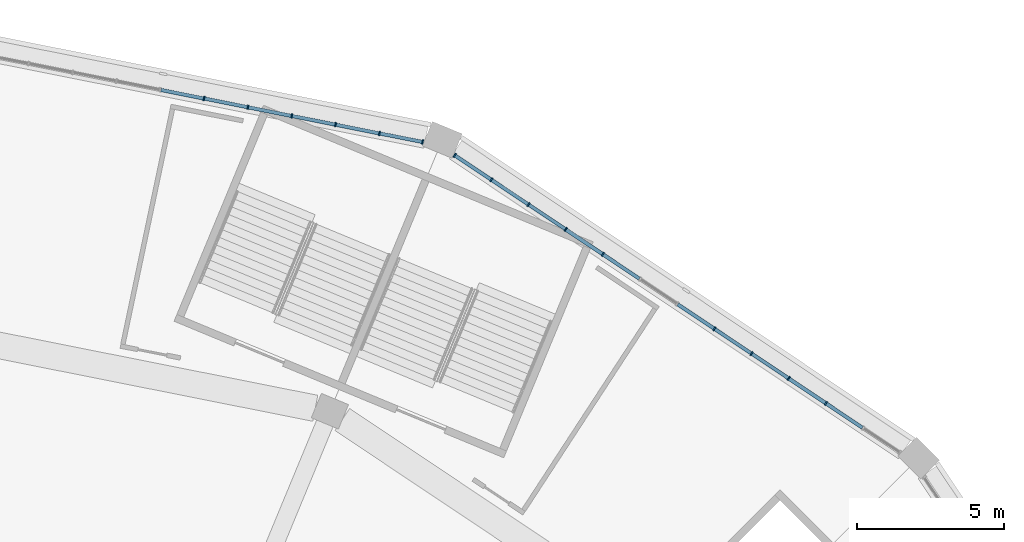
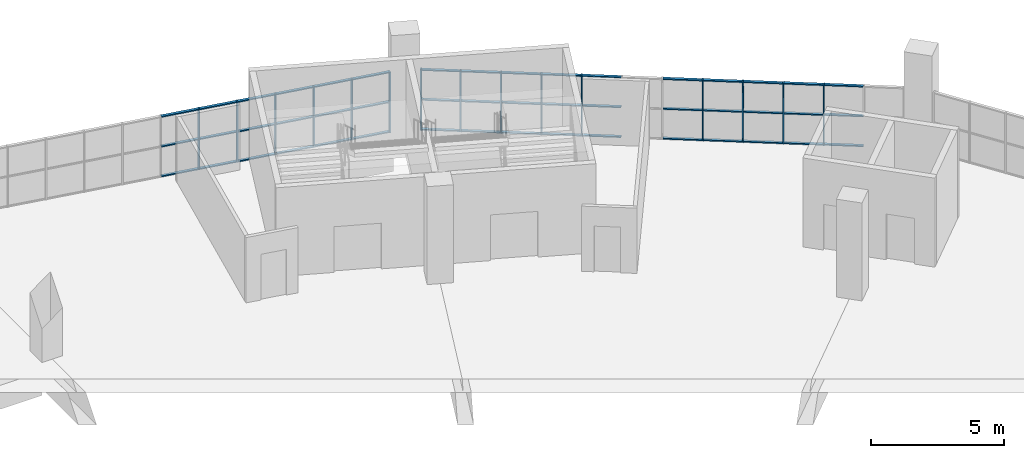
# One storey, part 54 of 199: 63 members, 2 elements without a shape of their own.
"""IFC4 building model written with IfcOpenShell, lengths in metres."""

from ifc_helpers import new_model, si_unit, direction, frame, origin, origin_2d, place, context, subcontext, project, spatial, rectangle, extrude, material, material_profile, profile_set, type_object, element, aggregate, save


model = new_model("IFC4")

# Units and contexts
model_context = context("Model", 3, precision=1e-05, world=origin(), true_north=direction((0.0, 1.0)))
body_context = subcontext(model_context, "Body", "Model", "MODEL_VIEW")
ifc_project = project(units=[si_unit("LENGTHUNIT", "METRE"), si_unit("AREAUNIT", "SQUARE_METRE"), si_unit("VOLUMEUNIT", "CUBIC_METRE"), si_unit("PLANEANGLEUNIT", "RADIAN"), si_unit("MASSUNIT", "GRAM", prefix="KILO")], contexts=[model_context])

# Site, building, storey
site_placement = place(None, origin())
site = spatial("IfcSite", under=ifc_project, at=site_placement, CompositionType="ELEMENT")
building_placement = place(site_placement, origin())
building = spatial("IfcBuilding", under=site, at=building_placement, Name="Ogive Plaza Stadium", CompositionType="ELEMENT")
storey_placement = place(building_placement, frame((0.0, 0.0, 4.5)))
storey = spatial("IfcBuildingStorey", under=building, at=storey_placement, Name="L01", CompositionType="ELEMENT", Elevation=4.5)

# Curtain wall, members
ifc_material_1 = material(Name="Bronze-anodised aluminium with laminated glass", Category="aluminium")
curtain_wall_type = type_object("IfcCurtainWallType", Name="Lancet curtain wall", PredefinedType="NOTDEFINED", material=ifc_material_1)
curtain_wall_1_placement = place(storey_placement, origin())
curtain_wall_1 = element("IfcCurtainWall", 1, at=curtain_wall_1_placement, inside=storey, type_object=curtain_wall_type, Name="CURTAIN WALL B37 L01", PredefinedType="NOTDEFINED")
ifc_material_2 = material(Name="Bronze-anodised aluminium", Category="aluminium")
ifc_material_profile_1 = material_profile(ifc_material_2, rectangle(XDim=0.14990234375, YDim=0.050048828125, at=origin_2d()), Name="AL 150x50")
ifc_profile_set_1 = profile_set([ifc_material_profile_1], Name="Bronze-anodised aluminium")
member_type_1 = type_object("IfcMemberType", Name="Curtain wall mullion 50x150", PredefinedType="MULLION", material=ifc_profile_set_1)
member_1_placement = place(storey_placement, frame((45.021240234375, 100.103759765625, 0.0), z_axis=(0.0, 0.0, 1.0), x_axis=(0.195090322033, 0.9807852804, 0.0)))
member_1 = element("IfcMember", 2, at=member_1_placement, type_object=member_type_1, Name="CW-B37-L01 mullion 8", PredefinedType="MULLION", context=body_context, shape_type="SweptSolid", body=[
    extrude(rectangle(XDim=0.14990234375, YDim=0.050048828125, at=origin_2d()), origin(), (0.0, 0.0, 1.0), 2.7900390625),
])
member_2_placement = place(storey_placement, frame((46.51416015625, 99.806884765625, 0.0), z_axis=(0.0, 0.0, 1.0), x_axis=(0.195090322033, 0.9807852804, 0.0)))
member_2 = element("IfcMember", 3, at=member_2_placement, type_object=member_type_1, Name="CW-B37-L01 mullion 9", PredefinedType="MULLION", context=body_context, shape_type="SweptSolid", body=[
    extrude(rectangle(XDim=0.14990234375, YDim=0.050048828125, at=origin_2d()), origin(), (0.0, 0.0, 1.0), 2.7900390625),
])
member_3_placement = place(storey_placement, frame((48.00732421875, 99.509765625, 0.0), z_axis=(0.0, 0.0, 1.0), x_axis=(0.195090322033, 0.9807852804, 0.0)))
member_3 = element("IfcMember", 4, at=member_3_placement, type_object=member_type_1, Name="CW-B37-L01 mullion 10", PredefinedType="MULLION", context=body_context, shape_type="SweptSolid", body=[
    extrude(rectangle(XDim=0.14990234375, YDim=0.050048828125, at=origin_2d()), origin(), (0.0, 0.0, 1.0), 2.7900390625),
])
member_4_placement = place(storey_placement, frame((49.50048828125, 99.212890625, 0.0), z_axis=(0.0, 0.0, 1.0), x_axis=(0.195090322033, 0.9807852804, 0.0)))
member_4 = element("IfcMember", 5, at=member_4_placement, type_object=member_type_1, Name="CW-B37-L01 mullion 11", PredefinedType="MULLION", context=body_context, shape_type="SweptSolid", body=[
    extrude(rectangle(XDim=0.14990234375, YDim=0.050048828125, at=origin_2d()), origin(), (0.0, 0.0, 1.0), 2.7900390625),
])
member_5_placement = place(storey_placement, frame((50.99365234375, 98.915771484375, 0.0), z_axis=(0.0, 0.0, 1.0), x_axis=(0.195090322033, 0.9807852804, 0.0)))
member_5 = element("IfcMember", 6, at=member_5_placement, type_object=member_type_1, Name="CW-B37-L01 mullion 12", PredefinedType="MULLION", context=body_context, shape_type="SweptSolid", body=[
    extrude(rectangle(XDim=0.14990234375, YDim=0.050048828125, at=origin_2d()), origin(), (0.0, 0.0, 1.0), 2.7900390625),
])
member_6_placement = place(storey_placement, frame((52.462158203125, 98.623779296875, 0.0), z_axis=(0.0, 0.0, 1.0), x_axis=(0.195090322033, 0.9807852804, 0.0)))
member_6 = element("IfcMember", 7, at=member_6_placement, type_object=member_type_1, Name="CW-B37-L01 mullion 13", PredefinedType="MULLION", context=body_context, shape_type="SweptSolid", body=[
    extrude(rectangle(XDim=0.14990234375, YDim=0.050048828125, at=origin_2d()), origin(), (0.0, 0.0, 1.0), 2.7900390625),
])

curtain_wall_2_placement = place(storey_placement, origin())
curtain_wall_2 = element("IfcCurtainWall", 8, at=curtain_wall_2_placement, inside=storey, type_object=curtain_wall_type, Name="CURTAIN WALL B38 L01", PredefinedType="NOTDEFINED")
member_7_placement = place(storey_placement, frame((53.559814453125, 98.169189453125, 0.0), z_axis=(0.0, 0.0, 1.0), x_axis=(0.55557023302, 0.831469612303, 0.0)))
member_7 = element("IfcMember", 9, at=member_7_placement, type_object=member_type_1, Name="CW-B38-L01 mullion 1", PredefinedType="MULLION", context=body_context, shape_type="SweptSolid", body=[
    extrude(rectangle(XDim=0.14990234375, YDim=0.050048828125, at=origin_2d()), origin(), (0.0, 0.0, 1.0), 2.7900390625),
])
member_8_placement = place(storey_placement, frame((54.8046875, 97.337158203125, 0.0), z_axis=(0.0, 0.0, 1.0), x_axis=(0.55557023302, 0.831469612303, 0.0)))
member_8 = element("IfcMember", 10, at=member_8_placement, type_object=member_type_1, Name="CW-B38-L01 mullion 2", PredefinedType="MULLION", context=body_context, shape_type="SweptSolid", body=[
    extrude(rectangle(XDim=0.14990234375, YDim=0.050048828125, at=origin_2d()), origin(), (0.0, 0.0, 1.0), 2.7900390625),
])
member_9_placement = place(storey_placement, frame((56.070556640625, 96.491455078125, 0.0), z_axis=(0.0, 0.0, 1.0), x_axis=(0.55557023302, 0.831469612303, 0.0)))
member_9 = element("IfcMember", 11, at=member_9_placement, type_object=member_type_1, Name="CW-B38-L01 mullion 3", PredefinedType="MULLION", context=body_context, shape_type="SweptSolid", body=[
    extrude(rectangle(XDim=0.14990234375, YDim=0.050048828125, at=origin_2d()), origin(), (0.0, 0.0, 1.0), 2.7900390625),
])
member_10_placement = place(storey_placement, frame((57.336181640625, 95.645751953125, 0.0), z_axis=(0.0, 0.0, 1.0), x_axis=(0.55557023302, 0.831469612303, 0.0)))
member_10 = element("IfcMember", 12, at=member_10_placement, type_object=member_type_1, Name="CW-B38-L01 mullion 4", PredefinedType="MULLION", context=body_context, shape_type="SweptSolid", body=[
    extrude(rectangle(XDim=0.14990234375, YDim=0.050048828125, at=origin_2d()), origin(), (0.0, 0.0, 1.0), 2.7900390625),
])
member_11_placement = place(storey_placement, frame((58.60205078125, 94.7998046875, 0.0), z_axis=(0.0, 0.0, 1.0), x_axis=(0.55557023302, 0.831469612303, 0.0)))
member_11 = element("IfcMember", 13, at=member_11_placement, type_object=member_type_1, Name="CW-B38-L01 mullion 5", PredefinedType="MULLION", context=body_context, shape_type="SweptSolid", body=[
    extrude(rectangle(XDim=0.14990234375, YDim=0.050048828125, at=origin_2d()), origin(), (0.0, 0.0, 1.0), 2.7900390625),
])
member_12_placement = place(storey_placement, frame((62.3994140625, 92.2626953125, 0.0), z_axis=(0.0, 0.0, 1.0), x_axis=(0.55557023302, 0.831469612303, 0.0)))
member_12 = element("IfcMember", 14, at=member_12_placement, type_object=member_type_1, Name="CW-B38-L01 mullion 8", PredefinedType="MULLION", context=body_context, shape_type="SweptSolid", body=[
    extrude(rectangle(XDim=0.14990234375, YDim=0.050048828125, at=origin_2d()), origin(), (0.0, 0.0, 1.0), 2.7900390625),
])
member_13_placement = place(storey_placement, frame((63.665283203125, 91.416748046875, 0.0), z_axis=(0.0, 0.0, 1.0), x_axis=(0.55557023302, 0.831469612303, 0.0)))
member_13 = element("IfcMember", 15, at=member_13_placement, type_object=member_type_1, Name="CW-B38-L01 mullion 9", PredefinedType="MULLION", context=body_context, shape_type="SweptSolid", body=[
    extrude(rectangle(XDim=0.14990234375, YDim=0.050048828125, at=origin_2d()), origin(), (0.0, 0.0, 1.0), 2.7900390625),
])
member_14_placement = place(storey_placement, frame((64.930908203125, 90.571044921875, 0.0), z_axis=(0.0, 0.0, 1.0), x_axis=(0.55557023302, 0.831469612303, 0.0)))
member_14 = element("IfcMember", 16, at=member_14_placement, type_object=member_type_1, Name="CW-B38-L01 mullion 10", PredefinedType="MULLION", context=body_context, shape_type="SweptSolid", body=[
    extrude(rectangle(XDim=0.14990234375, YDim=0.050048828125, at=origin_2d()), origin(), (0.0, 0.0, 1.0), 2.7900390625),
])
member_15_placement = place(storey_placement, frame((66.19677734375, 89.725341796875, 0.0), z_axis=(0.0, 0.0, 1.0), x_axis=(0.55557023302, 0.831469612303, 0.0)))
member_15 = element("IfcMember", 17, at=member_15_placement, type_object=member_type_1, Name="CW-B38-L01 mullion 11", PredefinedType="MULLION", context=body_context, shape_type="SweptSolid", body=[
    extrude(rectangle(XDim=0.14990234375, YDim=0.050048828125, at=origin_2d()), origin(), (0.0, 0.0, 1.0), 2.7900390625),
])

# Member
ifc_material_3 = material(Name="Bronze-anodised aluminium", Category="aluminium")
ifc_material_profile_2 = material_profile(ifc_material_3, rectangle(XDim=0.1201171875, YDim=0.050048828125, at=origin_2d()), Name="AL 120x50")
ifc_profile_set_2 = profile_set([ifc_material_profile_2], Name="Bronze-anodised aluminium")
member_type_2 = type_object("IfcMemberType", Name="Curtain wall transom 50x120", PredefinedType="USERDEFINED", material=ifc_profile_set_2)
member_16_placement = place(storey_placement, frame((43.552490234375, 100.39599609375, 0.02490234375), z_axis=(0.980771529367, -0.195159440417, 0.0), x_axis=(0.195159440417, 0.980771529367, 0.0)))
member_16 = element("IfcMember", 18, at=member_16_placement, type_object=member_type_2, Name="CW-B37-L01 transom 7.1", ObjectType="TRANSOM", PredefinedType="USERDEFINED", context=body_context, shape_type="SweptSolid", body=[
    extrude(rectangle(XDim=0.1201171875, YDim=0.050048828125, at=origin_2d()), origin(), (0.0, 0.0, 1.0), 1.472412109375),
])

member_17_placement = place(storey_placement, frame((43.552490234375, 100.39599609375, 1.39501953125), z_axis=(0.980771529367, -0.195159440417, 0.0), x_axis=(0.195159440417, 0.980771529367, 0.0)))
member_17 = element("IfcMember", 19, at=member_17_placement, type_object=member_type_2, Name="CW-B37-L01 transom 7.2", ObjectType="TRANSOM", PredefinedType="USERDEFINED", context=body_context, shape_type="SweptSolid", body=[
    extrude(rectangle(XDim=0.1201171875, YDim=0.050048828125, at=origin_2d()), origin(), (0.0, 0.0, 1.0), 1.472412109375),
])

member_18_placement = place(storey_placement, frame((43.552490234375, 100.39599609375, 2.764892578125), z_axis=(0.980771529367, -0.195159440417, 0.0), x_axis=(0.195159440417, 0.980771529367, 0.0)))
member_18 = element("IfcMember", 20, at=member_18_placement, type_object=member_type_2, Name="CW-B37-L01 transom 7.3", ObjectType="TRANSOM", PredefinedType="USERDEFINED", context=body_context, shape_type="SweptSolid", body=[
    extrude(rectangle(XDim=0.1201171875, YDim=0.050048828125, at=origin_2d()), origin(), (0.0, 0.0, 1.0), 1.472412109375),
])

member_19_placement = place(storey_placement, frame((45.045654296875, 100.098876953125, 0.02490234375), z_axis=(0.980803254763, -0.194999937042, 0.0), x_axis=(0.194999937042, 0.980803254763, 0.0)))
member_19 = element("IfcMember", 21, at=member_19_placement, type_object=member_type_2, Name="CW-B37-L01 transom 8.1", ObjectType="TRANSOM", PredefinedType="USERDEFINED", context=body_context, shape_type="SweptSolid", body=[
    extrude(rectangle(XDim=0.1201171875, YDim=0.050048828125, at=origin_2d()), origin(), (0.0, 0.0, 1.0), 1.472412109375),
])

member_20_placement = place(storey_placement, frame((45.045654296875, 100.098876953125, 1.39501953125), z_axis=(0.980803254763, -0.194999937042, 0.0), x_axis=(0.194999937042, 0.980803254763, 0.0)))
member_20 = element("IfcMember", 22, at=member_20_placement, type_object=member_type_2, Name="CW-B37-L01 transom 8.2", ObjectType="TRANSOM", PredefinedType="USERDEFINED", context=body_context, shape_type="SweptSolid", body=[
    extrude(rectangle(XDim=0.1201171875, YDim=0.050048828125, at=origin_2d()), origin(), (0.0, 0.0, 1.0), 1.472412109375),
])

member_21_placement = place(storey_placement, frame((45.045654296875, 100.098876953125, 2.764892578125), z_axis=(0.980803254763, -0.194999937042, 0.0), x_axis=(0.194999937042, 0.980803254763, 0.0)))
member_21 = element("IfcMember", 23, at=member_21_placement, type_object=member_type_2, Name="CW-B37-L01 transom 8.3", ObjectType="TRANSOM", PredefinedType="USERDEFINED", context=body_context, shape_type="SweptSolid", body=[
    extrude(rectangle(XDim=0.1201171875, YDim=0.050048828125, at=origin_2d()), origin(), (0.0, 0.0, 1.0), 1.472412109375),
])

member_22_placement = place(storey_placement, frame((46.538818359375, 99.802001953125, 0.02490234375), z_axis=(0.980771529367, -0.195159440417, 0.0), x_axis=(0.195159440417, 0.980771529367, 0.0)))
member_22 = element("IfcMember", 24, at=member_22_placement, type_object=member_type_2, Name="CW-B37-L01 transom 9.1", ObjectType="TRANSOM", PredefinedType="USERDEFINED", context=body_context, shape_type="SweptSolid", body=[
    extrude(rectangle(XDim=0.1201171875, YDim=0.050048828125, at=origin_2d()), origin(), (0.0, 0.0, 1.0), 1.472412109375),
])

member_23_placement = place(storey_placement, frame((46.538818359375, 99.802001953125, 1.39501953125), z_axis=(0.980771529367, -0.195159440417, 0.0), x_axis=(0.195159440417, 0.980771529367, 0.0)))
member_23 = element("IfcMember", 25, at=member_23_placement, type_object=member_type_2, Name="CW-B37-L01 transom 9.2", ObjectType="TRANSOM", PredefinedType="USERDEFINED", context=body_context, shape_type="SweptSolid", body=[
    extrude(rectangle(XDim=0.1201171875, YDim=0.050048828125, at=origin_2d()), origin(), (0.0, 0.0, 1.0), 1.472412109375),
])

member_24_placement = place(storey_placement, frame((46.538818359375, 99.802001953125, 2.764892578125), z_axis=(0.980771529367, -0.195159440417, 0.0), x_axis=(0.195159440417, 0.980771529367, 0.0)))
member_24 = element("IfcMember", 26, at=member_24_placement, type_object=member_type_2, Name="CW-B37-L01 transom 9.3", ObjectType="TRANSOM", PredefinedType="USERDEFINED", context=body_context, shape_type="SweptSolid", body=[
    extrude(rectangle(XDim=0.1201171875, YDim=0.050048828125, at=origin_2d()), origin(), (0.0, 0.0, 1.0), 1.472412109375),
])

member_25_placement = place(storey_placement, frame((48.031982421875, 99.5048828125, 0.02490234375), z_axis=(0.980796948065, -0.19503165555, 0.0), x_axis=(0.19503165555, 0.980796948065, 0.0)))
member_25 = element("IfcMember", 27, at=member_25_placement, type_object=member_type_2, Name="CW-B37-L01 transom 10.1", ObjectType="TRANSOM", PredefinedType="USERDEFINED", context=body_context, shape_type="SweptSolid", body=[
    extrude(rectangle(XDim=0.1201171875, YDim=0.050048828125, at=origin_2d()), origin(), (0.0, 0.0, 1.0), 1.47216796875),
])

member_26_placement = place(storey_placement, frame((48.031982421875, 99.5048828125, 1.39501953125), z_axis=(0.980796948065, -0.19503165555, 0.0), x_axis=(0.19503165555, 0.980796948065, 0.0)))
member_26 = element("IfcMember", 28, at=member_26_placement, type_object=member_type_2, Name="CW-B37-L01 transom 10.2", ObjectType="TRANSOM", PredefinedType="USERDEFINED", context=body_context, shape_type="SweptSolid", body=[
    extrude(rectangle(XDim=0.1201171875, YDim=0.050048828125, at=origin_2d()), origin(), (0.0, 0.0, 1.0), 1.47216796875),
])

member_27_placement = place(storey_placement, frame((48.031982421875, 99.5048828125, 2.764892578125), z_axis=(0.980796948065, -0.19503165555, 0.0), x_axis=(0.19503165555, 0.980796948065, 0.0)))
member_27 = element("IfcMember", 29, at=member_27_placement, type_object=member_type_2, Name="CW-B37-L01 transom 10.3", ObjectType="TRANSOM", PredefinedType="USERDEFINED", context=body_context, shape_type="SweptSolid", body=[
    extrude(rectangle(XDim=0.1201171875, YDim=0.050048828125, at=origin_2d()), origin(), (0.0, 0.0, 1.0), 1.47216796875),
])

member_28_placement = place(storey_placement, frame((49.52490234375, 99.2080078125, 0.02490234375), z_axis=(0.980771529367, -0.195159440417, 0.0), x_axis=(0.195159440417, 0.980771529367, 0.0)))
member_28 = element("IfcMember", 30, at=member_28_placement, type_object=member_type_2, Name="CW-B37-L01 transom 11.1", ObjectType="TRANSOM", PredefinedType="USERDEFINED", context=body_context, shape_type="SweptSolid", body=[
    extrude(rectangle(XDim=0.1201171875, YDim=0.050048828125, at=origin_2d()), origin(), (0.0, 0.0, 1.0), 1.472412109375),
])

member_29_placement = place(storey_placement, frame((49.52490234375, 99.2080078125, 1.39501953125), z_axis=(0.980771529367, -0.195159440417, 0.0), x_axis=(0.195159440417, 0.980771529367, 0.0)))
member_29 = element("IfcMember", 31, at=member_29_placement, type_object=member_type_2, Name="CW-B37-L01 transom 11.2", ObjectType="TRANSOM", PredefinedType="USERDEFINED", context=body_context, shape_type="SweptSolid", body=[
    extrude(rectangle(XDim=0.1201171875, YDim=0.050048828125, at=origin_2d()), origin(), (0.0, 0.0, 1.0), 1.472412109375),
])

member_30_placement = place(storey_placement, frame((49.52490234375, 99.2080078125, 2.764892578125), z_axis=(0.980771529367, -0.195159440417, 0.0), x_axis=(0.195159440417, 0.980771529367, 0.0)))
member_30 = element("IfcMember", 32, at=member_30_placement, type_object=member_type_2, Name="CW-B37-L01 transom 11.3", ObjectType="TRANSOM", PredefinedType="USERDEFINED", context=body_context, shape_type="SweptSolid", body=[
    extrude(rectangle(XDim=0.1201171875, YDim=0.050048828125, at=origin_2d()), origin(), (0.0, 0.0, 1.0), 1.472412109375),
])

member_31_placement = place(storey_placement, frame((51.01806640625, 98.910888671875, 0.02490234375), z_axis=(0.98080065826, -0.195012996379, 0.0), x_axis=(0.195012996379, 0.98080065826, 0.0)))
member_31 = element("IfcMember", 33, at=member_31_placement, type_object=member_type_2, Name="CW-B37-L01 transom 12.1", ObjectType="TRANSOM", PredefinedType="USERDEFINED", context=body_context, shape_type="SweptSolid", body=[
    extrude(rectangle(XDim=0.1201171875, YDim=0.050048828125, at=origin_2d()), origin(), (0.0, 0.0, 1.0), 1.447265625),
])

member_32_placement = place(storey_placement, frame((51.01806640625, 98.910888671875, 1.39501953125), z_axis=(0.98080065826, -0.195012996379, 0.0), x_axis=(0.195012996379, 0.98080065826, 0.0)))
member_32 = element("IfcMember", 34, at=member_32_placement, type_object=member_type_2, Name="CW-B37-L01 transom 12.2", ObjectType="TRANSOM", PredefinedType="USERDEFINED", context=body_context, shape_type="SweptSolid", body=[
    extrude(rectangle(XDim=0.1201171875, YDim=0.050048828125, at=origin_2d()), origin(), (0.0, 0.0, 1.0), 1.447265625),
])

member_33_placement = place(storey_placement, frame((51.01806640625, 98.910888671875, 2.764892578125), z_axis=(0.98080065826, -0.195012996379, 0.0), x_axis=(0.195012996379, 0.98080065826, 0.0)))
member_33 = element("IfcMember", 35, at=member_33_placement, type_object=member_type_2, Name="CW-B37-L01 transom 12.3", ObjectType="TRANSOM", PredefinedType="USERDEFINED", context=body_context, shape_type="SweptSolid", body=[
    extrude(rectangle(XDim=0.1201171875, YDim=0.050048828125, at=origin_2d()), origin(), (0.0, 0.0, 1.0), 1.447265625),
])

aggregate(curtain_wall_1, [member_1, member_2, member_3, member_4, member_5, member_6, member_16, member_17, member_18, member_19, member_20, member_21, member_22, member_23, member_24, member_25, member_26, member_27, member_28, member_29, member_30, member_31, member_32, member_33])

member_34_placement = place(storey_placement, frame((53.58056640625, 98.1552734375, 0.02490234375), z_axis=(0.831426948977, -0.555634077892, 0.0), x_axis=(0.555634077892, 0.831426948977, 0.0)))
member_34 = element("IfcMember", 36, at=member_34_placement, type_object=member_type_2, Name="CW-B38-L01 transom 1.1", ObjectType="TRANSOM", PredefinedType="USERDEFINED", context=body_context, shape_type="SweptSolid", body=[
    extrude(rectangle(XDim=0.1201171875, YDim=0.050048828125, at=origin_2d()), origin(), (0.0, 0.0, 1.0), 1.447265625),
])

member_35_placement = place(storey_placement, frame((53.58056640625, 98.1552734375, 1.39501953125), z_axis=(0.831426948977, -0.555634077892, 0.0), x_axis=(0.555634077892, 0.831426948977, 0.0)))
member_35 = element("IfcMember", 37, at=member_35_placement, type_object=member_type_2, Name="CW-B38-L01 transom 1.2", ObjectType="TRANSOM", PredefinedType="USERDEFINED", context=body_context, shape_type="SweptSolid", body=[
    extrude(rectangle(XDim=0.1201171875, YDim=0.050048828125, at=origin_2d()), origin(), (0.0, 0.0, 1.0), 1.447265625),
])

member_36_placement = place(storey_placement, frame((53.58056640625, 98.1552734375, 2.764892578125), z_axis=(0.831426948977, -0.555634077892, 0.0), x_axis=(0.555634077892, 0.831426948977, 0.0)))
member_36 = element("IfcMember", 38, at=member_36_placement, type_object=member_type_2, Name="CW-B38-L01 transom 1.3", ObjectType="TRANSOM", PredefinedType="USERDEFINED", context=body_context, shape_type="SweptSolid", body=[
    extrude(rectangle(XDim=0.1201171875, YDim=0.050048828125, at=origin_2d()), origin(), (0.0, 0.0, 1.0), 1.447265625),
])

member_37_placement = place(storey_placement, frame((54.825439453125, 97.3232421875, 0.02490234375), z_axis=(0.83153975619, -0.555465240925, 0.0), x_axis=(0.555465240925, 0.83153975619, 0.0)))
member_37 = element("IfcMember", 39, at=member_37_placement, type_object=member_type_2, Name="CW-B38-L01 transom 2.1", ObjectType="TRANSOM", PredefinedType="USERDEFINED", context=body_context, shape_type="SweptSolid", body=[
    extrude(rectangle(XDim=0.1201171875, YDim=0.050048828125, at=origin_2d()), origin(), (0.0, 0.0, 1.0), 1.472412109375),
])

member_38_placement = place(storey_placement, frame((54.825439453125, 97.3232421875, 1.39501953125), z_axis=(0.83153975619, -0.555465240925, 0.0), x_axis=(0.555465240925, 0.83153975619, 0.0)))
member_38 = element("IfcMember", 40, at=member_38_placement, type_object=member_type_2, Name="CW-B38-L01 transom 2.2", ObjectType="TRANSOM", PredefinedType="USERDEFINED", context=body_context, shape_type="SweptSolid", body=[
    extrude(rectangle(XDim=0.1201171875, YDim=0.050048828125, at=origin_2d()), origin(), (0.0, 0.0, 1.0), 1.472412109375),
])

member_39_placement = place(storey_placement, frame((54.825439453125, 97.3232421875, 2.764892578125), z_axis=(0.83153975619, -0.555465240925, 0.0), x_axis=(0.555465240925, 0.83153975619, 0.0)))
member_39 = element("IfcMember", 41, at=member_39_placement, type_object=member_type_2, Name="CW-B38-L01 transom 2.3", ObjectType="TRANSOM", PredefinedType="USERDEFINED", context=body_context, shape_type="SweptSolid", body=[
    extrude(rectangle(XDim=0.1201171875, YDim=0.050048828125, at=origin_2d()), origin(), (0.0, 0.0, 1.0), 1.472412109375),
])

member_40_placement = place(storey_placement, frame((56.09130859375, 96.4775390625, 0.02490234375), z_axis=(0.831488586159, -0.555541835587, 0.0), x_axis=(0.555541835587, 0.831488586159, 0.0)))
member_40 = element("IfcMember", 42, at=member_40_placement, type_object=member_type_2, Name="CW-B38-L01 transom 3.1", ObjectType="TRANSOM", PredefinedType="USERDEFINED", context=body_context, shape_type="SweptSolid", body=[
    extrude(rectangle(XDim=0.1201171875, YDim=0.050048828125, at=origin_2d()), origin(), (0.0, 0.0, 1.0), 1.47216796875),
])

member_41_placement = place(storey_placement, frame((56.09130859375, 96.4775390625, 1.39501953125), z_axis=(0.831488586159, -0.555541835587, 0.0), x_axis=(0.555541835587, 0.831488586159, 0.0)))
member_41 = element("IfcMember", 43, at=member_41_placement, type_object=member_type_2, Name="CW-B38-L01 transom 3.2", ObjectType="TRANSOM", PredefinedType="USERDEFINED", context=body_context, shape_type="SweptSolid", body=[
    extrude(rectangle(XDim=0.1201171875, YDim=0.050048828125, at=origin_2d()), origin(), (0.0, 0.0, 1.0), 1.47216796875),
])

member_42_placement = place(storey_placement, frame((56.09130859375, 96.4775390625, 2.764892578125), z_axis=(0.831488586159, -0.555541835587, 0.0), x_axis=(0.555541835587, 0.831488586159, 0.0)))
member_42 = element("IfcMember", 44, at=member_42_placement, type_object=member_type_2, Name="CW-B38-L01 transom 3.3", ObjectType="TRANSOM", PredefinedType="USERDEFINED", context=body_context, shape_type="SweptSolid", body=[
    extrude(rectangle(XDim=0.1201171875, YDim=0.050048828125, at=origin_2d()), origin(), (0.0, 0.0, 1.0), 1.47216796875),
])

member_43_placement = place(storey_placement, frame((57.357177734375, 95.6318359375, 0.02490234375), z_axis=(0.831411982446, -0.555656472512, 0.0), x_axis=(0.555656472512, 0.831411982446, 0.0)))
member_43 = element("IfcMember", 45, at=member_43_placement, type_object=member_type_2, Name="CW-B38-L01 transom 4.1", ObjectType="TRANSOM", PredefinedType="USERDEFINED", context=body_context, shape_type="SweptSolid", body=[
    extrude(rectangle(XDim=0.1201171875, YDim=0.050048828125, at=origin_2d()), origin(), (0.0, 0.0, 1.0), 1.472412109375),
])

member_44_placement = place(storey_placement, frame((57.357177734375, 95.6318359375, 1.39501953125), z_axis=(0.831411982446, -0.555656472512, 0.0), x_axis=(0.555656472512, 0.831411982446, 0.0)))
member_44 = element("IfcMember", 46, at=member_44_placement, type_object=member_type_2, Name="CW-B38-L01 transom 4.2", ObjectType="TRANSOM", PredefinedType="USERDEFINED", context=body_context, shape_type="SweptSolid", body=[
    extrude(rectangle(XDim=0.1201171875, YDim=0.050048828125, at=origin_2d()), origin(), (0.0, 0.0, 1.0), 1.472412109375),
])

member_45_placement = place(storey_placement, frame((57.357177734375, 95.6318359375, 2.764892578125), z_axis=(0.831411982446, -0.555656472512, 0.0), x_axis=(0.555656472512, 0.831411982446, 0.0)))
member_45 = element("IfcMember", 47, at=member_45_placement, type_object=member_type_2, Name="CW-B38-L01 transom 4.3", ObjectType="TRANSOM", PredefinedType="USERDEFINED", context=body_context, shape_type="SweptSolid", body=[
    extrude(rectangle(XDim=0.1201171875, YDim=0.050048828125, at=origin_2d()), origin(), (0.0, 0.0, 1.0), 1.472412109375),
])

member_46_placement = place(storey_placement, frame((58.622802734375, 94.7861328125, 0.02490234375), z_axis=(0.831463168883, -0.555579876157, 0.0), x_axis=(0.555579876157, 0.831463168883, 0.0)))
member_46 = element("IfcMember", 48, at=member_46_placement, type_object=member_type_2, Name="CW-B38-L01 transom 5.1", ObjectType="TRANSOM", PredefinedType="USERDEFINED", context=body_context, shape_type="SweptSolid", body=[
    extrude(rectangle(XDim=0.1201171875, YDim=0.050048828125, at=origin_2d()), origin(), (0.0, 0.0, 1.0), 1.47265625),
])

member_47_placement = place(storey_placement, frame((58.622802734375, 94.7861328125, 1.39501953125), z_axis=(0.831463168883, -0.555579876157, 0.0), x_axis=(0.555579876157, 0.831463168883, 0.0)))
member_47 = element("IfcMember", 49, at=member_47_placement, type_object=member_type_2, Name="CW-B38-L01 transom 5.2", ObjectType="TRANSOM", PredefinedType="USERDEFINED", context=body_context, shape_type="SweptSolid", body=[
    extrude(rectangle(XDim=0.1201171875, YDim=0.050048828125, at=origin_2d()), origin(), (0.0, 0.0, 1.0), 1.47265625),
])

member_48_placement = place(storey_placement, frame((58.622802734375, 94.7861328125, 2.764892578125), z_axis=(0.831463168883, -0.555579876157, 0.0), x_axis=(0.555579876157, 0.831463168883, 0.0)))
member_48 = element("IfcMember", 50, at=member_48_placement, type_object=member_type_2, Name="CW-B38-L01 transom 5.3", ObjectType="TRANSOM", PredefinedType="USERDEFINED", context=body_context, shape_type="SweptSolid", body=[
    extrude(rectangle(XDim=0.1201171875, YDim=0.050048828125, at=origin_2d()), origin(), (0.0, 0.0, 1.0), 1.47265625),
])

member_49_placement = place(storey_placement, frame((61.154541015625, 93.094482421875, 0.02490234375), z_axis=(0.831411982446, -0.555656472512, 0.0), x_axis=(0.555656472512, 0.831411982446, 0.0)))
member_49 = element("IfcMember", 51, at=member_49_placement, type_object=member_type_2, Name="CW-B38-L01 transom 7.1", ObjectType="TRANSOM", PredefinedType="USERDEFINED", context=body_context, shape_type="SweptSolid", body=[
    extrude(rectangle(XDim=0.1201171875, YDim=0.050048828125, at=origin_2d()), origin(), (0.0, 0.0, 1.0), 1.472412109375),
])

member_50_placement = place(storey_placement, frame((61.154541015625, 93.094482421875, 1.39501953125), z_axis=(0.831411982446, -0.555656472512, 0.0), x_axis=(0.555656472512, 0.831411982446, 0.0)))
member_50 = element("IfcMember", 52, at=member_50_placement, type_object=member_type_2, Name="CW-B38-L01 transom 7.2", ObjectType="TRANSOM", PredefinedType="USERDEFINED", context=body_context, shape_type="SweptSolid", body=[
    extrude(rectangle(XDim=0.1201171875, YDim=0.050048828125, at=origin_2d()), origin(), (0.0, 0.0, 1.0), 1.472412109375),
])

member_51_placement = place(storey_placement, frame((61.154541015625, 93.094482421875, 2.764892578125), z_axis=(0.831411982446, -0.555656472512, 0.0), x_axis=(0.555656472512, 0.831411982446, 0.0)))
member_51 = element("IfcMember", 53, at=member_51_placement, type_object=member_type_2, Name="CW-B38-L01 transom 7.3", ObjectType="TRANSOM", PredefinedType="USERDEFINED", context=body_context, shape_type="SweptSolid", body=[
    extrude(rectangle(XDim=0.1201171875, YDim=0.050048828125, at=origin_2d()), origin(), (0.0, 0.0, 1.0), 1.472412109375),
])

member_52_placement = place(storey_placement, frame((62.420166015625, 92.248779296875, 0.02490234375), z_axis=(0.831463168883, -0.555579876157, 0.0), x_axis=(0.555579876157, 0.831463168883, 0.0)))
member_52 = element("IfcMember", 54, at=member_52_placement, type_object=member_type_2, Name="CW-B38-L01 transom 8.1", ObjectType="TRANSOM", PredefinedType="USERDEFINED", context=body_context, shape_type="SweptSolid", body=[
    extrude(rectangle(XDim=0.1201171875, YDim=0.050048828125, at=origin_2d()), origin(), (0.0, 0.0, 1.0), 1.47265625),
])

member_53_placement = place(storey_placement, frame((62.420166015625, 92.248779296875, 1.39501953125), z_axis=(0.831463168883, -0.555579876157, 0.0), x_axis=(0.555579876157, 0.831463168883, 0.0)))
member_53 = element("IfcMember", 55, at=member_53_placement, type_object=member_type_2, Name="CW-B38-L01 transom 8.2", ObjectType="TRANSOM", PredefinedType="USERDEFINED", context=body_context, shape_type="SweptSolid", body=[
    extrude(rectangle(XDim=0.1201171875, YDim=0.050048828125, at=origin_2d()), origin(), (0.0, 0.0, 1.0), 1.47265625),
])

member_54_placement = place(storey_placement, frame((62.420166015625, 92.248779296875, 2.764892578125), z_axis=(0.831463168883, -0.555579876157, 0.0), x_axis=(0.555579876157, 0.831463168883, 0.0)))
member_54 = element("IfcMember", 56, at=member_54_placement, type_object=member_type_2, Name="CW-B38-L01 transom 8.3", ObjectType="TRANSOM", PredefinedType="USERDEFINED", context=body_context, shape_type="SweptSolid", body=[
    extrude(rectangle(XDim=0.1201171875, YDim=0.050048828125, at=origin_2d()), origin(), (0.0, 0.0, 1.0), 1.47265625),
])

member_55_placement = place(storey_placement, frame((63.68603515625, 91.40283203125, 0.02490234375), z_axis=(0.831488586159, -0.555541835587, 0.0), x_axis=(0.555541835587, 0.831488586159, 0.0)))
member_55 = element("IfcMember", 57, at=member_55_placement, type_object=member_type_2, Name="CW-B38-L01 transom 9.1", ObjectType="TRANSOM", PredefinedType="USERDEFINED", context=body_context, shape_type="SweptSolid", body=[
    extrude(rectangle(XDim=0.1201171875, YDim=0.050048828125, at=origin_2d()), origin(), (0.0, 0.0, 1.0), 1.47216796875),
])

member_56_placement = place(storey_placement, frame((63.68603515625, 91.40283203125, 1.39501953125), z_axis=(0.831488586159, -0.555541835587, 0.0), x_axis=(0.555541835587, 0.831488586159, 0.0)))
member_56 = element("IfcMember", 58, at=member_56_placement, type_object=member_type_2, Name="CW-B38-L01 transom 9.2", ObjectType="TRANSOM", PredefinedType="USERDEFINED", context=body_context, shape_type="SweptSolid", body=[
    extrude(rectangle(XDim=0.1201171875, YDim=0.050048828125, at=origin_2d()), origin(), (0.0, 0.0, 1.0), 1.47216796875),
])

member_57_placement = place(storey_placement, frame((63.68603515625, 91.40283203125, 2.764892578125), z_axis=(0.831488586159, -0.555541835587, 0.0), x_axis=(0.555541835587, 0.831488586159, 0.0)))
member_57 = element("IfcMember", 59, at=member_57_placement, type_object=member_type_2, Name="CW-B38-L01 transom 9.3", ObjectType="TRANSOM", PredefinedType="USERDEFINED", context=body_context, shape_type="SweptSolid", body=[
    extrude(rectangle(XDim=0.1201171875, YDim=0.050048828125, at=origin_2d()), origin(), (0.0, 0.0, 1.0), 1.47216796875),
])

member_58_placement = place(storey_placement, frame((64.95166015625, 90.55712890625, 0.02490234375), z_axis=(0.83153975619, -0.555465240925, 0.0), x_axis=(0.555465240925, 0.83153975619, 0.0)))
member_58 = element("IfcMember", 60, at=member_58_placement, type_object=member_type_2, Name="CW-B38-L01 transom 10.1", ObjectType="TRANSOM", PredefinedType="USERDEFINED", context=body_context, shape_type="SweptSolid", body=[
    extrude(rectangle(XDim=0.1201171875, YDim=0.050048828125, at=origin_2d()), origin(), (0.0, 0.0, 1.0), 1.472412109375),
])

member_59_placement = place(storey_placement, frame((64.95166015625, 90.55712890625, 1.39501953125), z_axis=(0.83153975619, -0.555465240925, 0.0), x_axis=(0.555465240925, 0.83153975619, 0.0)))
member_59 = element("IfcMember", 61, at=member_59_placement, type_object=member_type_2, Name="CW-B38-L01 transom 10.2", ObjectType="TRANSOM", PredefinedType="USERDEFINED", context=body_context, shape_type="SweptSolid", body=[
    extrude(rectangle(XDim=0.1201171875, YDim=0.050048828125, at=origin_2d()), origin(), (0.0, 0.0, 1.0), 1.472412109375),
])

member_60_placement = place(storey_placement, frame((64.95166015625, 90.55712890625, 2.764892578125), z_axis=(0.83153975619, -0.555465240925, 0.0), x_axis=(0.555465240925, 0.83153975619, 0.0)))
member_60 = element("IfcMember", 62, at=member_60_placement, type_object=member_type_2, Name="CW-B38-L01 transom 10.3", ObjectType="TRANSOM", PredefinedType="USERDEFINED", context=body_context, shape_type="SweptSolid", body=[
    extrude(rectangle(XDim=0.1201171875, YDim=0.050048828125, at=origin_2d()), origin(), (0.0, 0.0, 1.0), 1.472412109375),
])

member_61_placement = place(storey_placement, frame((66.217529296875, 89.71142578125, 0.02490234375), z_axis=(0.831411982446, -0.555656472512, 0.0), x_axis=(0.555656472512, 0.831411982446, 0.0)))
member_61 = element("IfcMember", 63, at=member_61_placement, type_object=member_type_2, Name="CW-B38-L01 transom 11.1", ObjectType="TRANSOM", PredefinedType="USERDEFINED", context=body_context, shape_type="SweptSolid", body=[
    extrude(rectangle(XDim=0.1201171875, YDim=0.050048828125, at=origin_2d()), origin(), (0.0, 0.0, 1.0), 1.472412109375),
])

member_62_placement = place(storey_placement, frame((66.217529296875, 89.71142578125, 1.39501953125), z_axis=(0.831411982446, -0.555656472512, 0.0), x_axis=(0.555656472512, 0.831411982446, 0.0)))
member_62 = element("IfcMember", 64, at=member_62_placement, type_object=member_type_2, Name="CW-B38-L01 transom 11.2", ObjectType="TRANSOM", PredefinedType="USERDEFINED", context=body_context, shape_type="SweptSolid", body=[
    extrude(rectangle(XDim=0.1201171875, YDim=0.050048828125, at=origin_2d()), origin(), (0.0, 0.0, 1.0), 1.472412109375),
])

member_63_placement = place(storey_placement, frame((66.217529296875, 89.71142578125, 2.764892578125), z_axis=(0.831411982446, -0.555656472512, 0.0), x_axis=(0.555656472512, 0.831411982446, 0.0)))
member_63 = element("IfcMember", 65, at=member_63_placement, type_object=member_type_2, Name="CW-B38-L01 transom 11.3", ObjectType="TRANSOM", PredefinedType="USERDEFINED", context=body_context, shape_type="SweptSolid", body=[
    extrude(rectangle(XDim=0.1201171875, YDim=0.050048828125, at=origin_2d()), origin(), (0.0, 0.0, 1.0), 1.472412109375),
])

aggregate(curtain_wall_2, [member_7, member_8, member_9, member_10, member_11, member_12, member_13, member_14, member_15, member_34, member_35, member_36, member_37, member_38, member_39, member_40, member_41, member_42, member_43, member_44, member_45, member_46, member_47, member_48, member_49, member_50, member_51, member_52, member_53, member_54, member_55, member_56, member_57, member_58, member_59, member_60, member_61, member_62, member_63])

save(model, "model.ifc")
